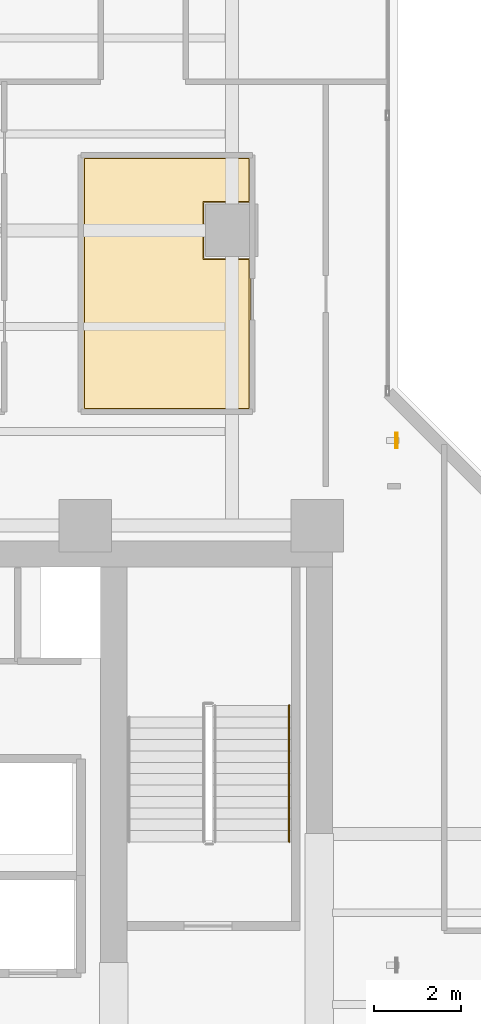
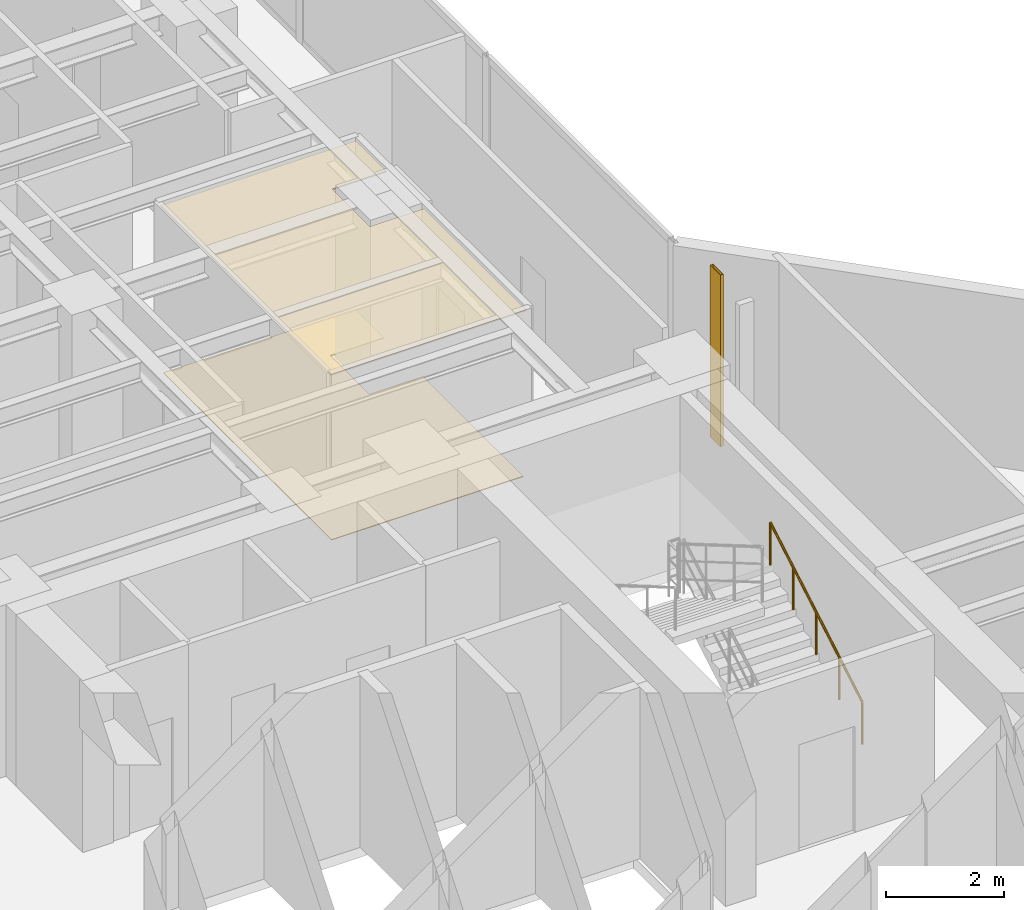
# One storey, part 24 of 26: 2 coverings, 1 railing, 1 shading device.
"""IFC4 building model written with IfcOpenShell, lengths in metres."""

import ifcopenshell
import ifcopenshell.guid

model = None  # the IFC model being written
_history = None  # IfcOwnerHistory: only IFC2X3 demands one
_inside = {}  # id of a spatial element -> (the spatial element, [elements in it])
_under = {}  # id of a project, library or spatial element -> (it, [spatial elements below it])
_declared = {}  # id of a project -> (the project, [libraries it declares])
_typed = {}  # id of a type object -> (the type object, [elements of that type])
_made_of = {}  # id of a material, layer set ... -> (it, [elements and type objects made of it])


def new_model(schema):
    """Start an empty IFC model of exactly this schema.

    Asked for "IFC4X3", IfcOpenShell would pick the latest addendum, in which some entities
    have other attributes; the version numbers below select the first issue.
    IFC2X3 requires an IfcOwnerHistory on every rooted entity: one is made here for all.
    """
    global model, _history
    if schema == "IFC4X3":
        model = ifcopenshell.file(schema_version=(4, 3, 0, 0))
    else:
        model = ifcopenshell.file(schema=schema)
    _inside.clear()
    _under.clear()
    _declared.clear()
    _typed.clear()
    _made_of.clear()
    _history = None
    if model.schema == "IFC2X3":
        org = make("IfcOrganization", Name="unknown")
        user = make(
            "IfcPersonAndOrganization",
            ThePerson=make("IfcPerson", FamilyName="unknown"),
            TheOrganization=org,
        )
        app = make(
            "IfcApplication",
            ApplicationDeveloper=org,
            Version="unknown",
            ApplicationFullName="unknown",
            ApplicationIdentifier="unknown",
        )
        _history = make(
            "IfcOwnerHistory",
            OwningUser=user,
            OwningApplication=app,
            ChangeAction="ADDED",
            CreationDate=0,
        )
    return model


def make(cls, **values):
    """One entity of the class cls with the attributes given. An attribute that is None is left unset."""
    return model.create_entity(
        cls, **{name: value for name, value in values.items() if value is not None}
    )


def rooted(cls, **values):
    """An entity with a GlobalId (a new one), such as an element, a storey or a relation."""
    return make(cls, GlobalId=ifcopenshell.guid.new(), OwnerHistory=_history, **values)


def si_unit(unit_type, name, prefix=None):
    """IfcSIUnit, for example si_unit("LENGTHUNIT", "METRE", prefix="MILLI")."""
    return make("IfcSIUnit", UnitType=unit_type, Prefix=prefix, Name=name)


def assignment(units):
    """IfcUnitAssignment: the units of a project."""
    return None if units is None else make("IfcUnitAssignment", Units=units)


def point(xyz):
    """IfcCartesianPoint."""
    return None if xyz is None else make("IfcCartesianPoint", Coordinates=xyz)


def direction(xyz):
    """IfcDirection."""
    return None if xyz is None else make("IfcDirection", DirectionRatios=xyz)


def frame(location, z_axis=None, x_axis=None):
    """IfcAxis2Placement3D, a coordinate frame: its origin and axes. An axis left out is left unset."""
    return make(
        "IfcAxis2Placement3D",
        Location=point(location),
        Axis=direction(z_axis),
        RefDirection=direction(x_axis),
    )


def frame_2d(location, x_axis=None):
    """IfcAxis2Placement2D, a coordinate frame in the plane: its origin and x axis."""
    return make(
        "IfcAxis2Placement2D", Location=point(location), RefDirection=direction(x_axis)
    )


def origin():
    """The frame at (0, 0, 0) with its axes left unset."""
    return frame((0.0, 0.0, 0.0))


def origin_2d():
    """The frame at (0, 0) in the plane with its x axis left unset."""
    return frame_2d((0.0, 0.0))


def place(relative_to, where):
    """IfcLocalPlacement: puts the frame where relative to a parent placement (None: the world)."""
    return make(
        "IfcLocalPlacement", PlacementRelTo=relative_to, RelativePlacement=where
    )


def context(
    kind, dimensions, precision=None, world=None, true_north=None, identifier=None
):
    """IfcGeometricRepresentationContext, for example the 3D "Model" context."""
    return make(
        "IfcGeometricRepresentationContext",
        ContextIdentifier=identifier,
        ContextType=kind,
        CoordinateSpaceDimension=dimensions,
        Precision=precision,
        WorldCoordinateSystem=world,
        TrueNorth=true_north,
    )


def subcontext(parent, identifier, kind, view, scale=None):
    """IfcGeometricRepresentationSubContext, for example "Body" below "Model"."""
    return make(
        "IfcGeometricRepresentationSubContext",
        ContextIdentifier=identifier,
        ContextType=kind,
        ParentContext=parent,
        TargetScale=scale,
        TargetView=view,
    )


def project(units=None, contexts=None):
    """IfcProject with its units and contexts."""
    return rooted(
        "IfcProject",
        Name="project",
        RepresentationContexts=contexts,
        UnitsInContext=assignment(units),
    )


def spatial(cls, under=None, at=None, **own):
    """A site, building, storey or space (cls), placed at a placement, below another one or the project."""
    s = rooted(cls, ObjectPlacement=at, **own)
    if under is not None:
        _under.setdefault(under.id(), (under, []))[1].append(s)
    return s


def polyline(points):
    """IfcPolyline through the points."""
    return make("IfcPolyline", Points=[point(p) for p in points])


def profile(cls, at=None, kind="AREA", **sizes):
    """A parametric profile (cls). Its sizes go by their IFC names, for example OverallWidth=200.0."""
    return make(cls, ProfileType=kind, Position=at, **sizes)


def hollow_rectangle(**sizes):
    """IfcRectangleHollowProfileDef."""
    return profile("IfcRectangleHollowProfileDef", **sizes)


def circle(**sizes):
    """IfcCircleProfileDef."""
    return profile("IfcCircleProfileDef", **sizes)


def outline(outer, holes=None, kind="AREA"):
    """IfcArbitraryClosedProfileDef: a profile drawn as a closed curve; with holes, ...WithVoids."""
    if holes is None:
        return make("IfcArbitraryClosedProfileDef", ProfileType=kind, OuterCurve=outer)
    return make(
        "IfcArbitraryProfileDefWithVoids",
        ProfileType=kind,
        OuterCurve=outer,
        InnerCurves=holes,
    )


def extrude(swept, where, along, depth):
    """IfcExtrudedAreaSolid: the profile swept, set in the frame where, extruded along a direction by depth."""
    return make(
        "IfcExtrudedAreaSolid",
        SweptArea=swept,
        Position=where,
        ExtrudedDirection=direction(along),
        Depth=depth,
    )


def shape(context_of_items, identifier, shape_type, items):
    """IfcShapeRepresentation: the items that make up one representation, for example the "Body"."""
    return make(
        "IfcShapeRepresentation",
        ContextOfItems=context_of_items,
        RepresentationIdentifier=identifier,
        RepresentationType=shape_type,
        Items=items,
    )


def material(Name=None, Category=None):
    """IfcMaterial."""
    return make("IfcMaterial", Name=Name, Category=Category)


def layer(
    of_material, thickness, ventilated=None, Name=None, Category=None, Priority=None
):
    """IfcMaterialLayer: one layer of a wall or slab, of a material (None: an air gap)."""
    return make(
        "IfcMaterialLayer",
        Material=of_material,
        LayerThickness=thickness,
        IsVentilated=ventilated,
        Name=Name,
        Category=Category,
        Priority=Priority,
    )


def layer_set(layers, Name=None):
    """IfcMaterialLayerSet."""
    return make("IfcMaterialLayerSet", MaterialLayers=layers, LayerSetName=Name)


def material_profile(
    of_material, cross_section, Name=None, Category=None, Priority=None
):
    """IfcMaterialProfile: a cross section and its material."""
    return make(
        "IfcMaterialProfile",
        Name=Name,
        Material=of_material,
        Profile=cross_section,
        Priority=Priority,
        Category=Category,
    )


def profile_set(profiles, Name=None, composite=None):
    """IfcMaterialProfileSet."""
    return make(
        "IfcMaterialProfileSet",
        Name=Name,
        MaterialProfiles=profiles,
        CompositeProfile=composite,
    )


def made_of(thing, what):
    """Note that an element or type object is made of a material, layer set ...; save() writes the relation."""
    if what is not None:
        _made_of.setdefault(what.id(), (what, []))[1].append(thing)
    return thing


def type_object(cls, material=None, **own):
    """A type object (cls), such as IfcWallType, which elements share."""
    return made_of(rooted(cls, **own), material)


def element(
    cls,
    number,
    at=None,
    inside=None,
    cuts=None,
    type_object=None,
    material=None,
    context=None,
    identifier="Body",
    shape_type=None,
    held_by="IfcProductDefinitionShape",
    body=None,
    shapes=None,
    **own,
):
    """One element of the class cls, such as IfcWall. Its Tag is "e" and its number.

    at: its placement. inside: the storey or other place that contains it. cuts: it is an
    opening in that element (IfcRelVoidsElement). A single representation is given by context,
    identifier, shape_type and body (its items); several are given by shapes. held_by: the class
    of the entity that holds the representations. save() writes the other relations.
    """
    e = rooted(cls, Tag="e%d" % number, ObjectPlacement=at, **own)
    if body is not None:
        shapes = [shape(context, identifier, shape_type, body)]
    if shapes is not None:
        e.Representation = make(held_by, Representations=shapes)
    if inside is not None:
        _inside.setdefault(inside.id(), (inside, []))[1].append(e)
    if cuts is not None:
        rooted(
            "IfcRelVoidsElement", RelatingBuildingElement=cuts, RelatedOpeningElement=e
        )
    if type_object is not None:
        _typed.setdefault(type_object.id(), (type_object, []))[1].append(e)
    return made_of(e, material)


def aggregate(whole, parts):
    """IfcRelAggregates: a whole, such as a stair, and the parts it consists of."""
    return rooted("IfcRelAggregates", RelatingObject=whole, RelatedObjects=parts)


def save(model, path):
    """Write the relations noted so far, then the file.

    IfcRelAggregates (storeys below a building ...), IfcRelContainedInSpatialStructure (elements
    in a storey), IfcRelDefinesByType, IfcRelAssociatesMaterial and IfcRelDeclares: one each for
    every whole, place, type object, material and project.
    """
    for whole, parts in _under.values():
        aggregate(whole, parts)
    for where, things in _inside.values():
        rooted(
            "IfcRelContainedInSpatialStructure",
            RelatedElements=things,
            RelatingStructure=where,
        )
    for kind, things in _typed.values():
        rooted("IfcRelDefinesByType", RelatedObjects=things, RelatingType=kind)
    for what, things in _made_of.values():
        rooted("IfcRelAssociatesMaterial", RelatedObjects=things, RelatingMaterial=what)
    for by, libraries in _declared.values():
        rooted("IfcRelDeclares", RelatingContext=by, RelatedDefinitions=libraries)
    model.write(path)


model = new_model("IFC4")

# Units and contexts
model_context = context("Model", 3, precision=1e-05, world=origin(), true_north=direction((0.0, 1.0)))
body_context = subcontext(model_context, "Body", "Model", "MODEL_VIEW")
ifc_project = project(units=[si_unit("LENGTHUNIT", "METRE"), si_unit("AREAUNIT", "SQUARE_METRE"), si_unit("VOLUMEUNIT", "CUBIC_METRE"), si_unit("PLANEANGLEUNIT", "RADIAN"), si_unit("MASSUNIT", "GRAM", prefix="KILO")], contexts=[model_context])

# Site, building, storey
site_placement = place(None, origin())
site = spatial("IfcSite", under=ifc_project, at=site_placement, CompositionType="ELEMENT")
building_placement = place(site_placement, origin())
building = spatial("IfcBuilding", under=site, at=building_placement, Name="Kolvaren Waterfront Exchange", CompositionType="ELEMENT")
storey_placement = place(building_placement, frame((0.0, 0.0, 165.199951171875)))
storey = spatial("IfcBuildingStorey", under=building, at=storey_placement, Name="L42", CompositionType="ELEMENT", Elevation=165.199951171875)

# Covering
ifc_material_1 = material(Name="Mineral fibre acoustic ceiling tile")
ifc_layer_1 = layer(ifc_material_1, 0.02490234375, Name="Mineral fibre acoustic ceiling tile")
ifc_layer_set_1 = layer_set([ifc_layer_1], Name="Mineral fibre acoustic ceiling tile")
covering_type_1 = type_object("IfcCoveringType", Name="ARC-CEIL-ACOUSTIC-25", PredefinedType="CEILING", material=ifc_layer_set_1)
covering_1_placement = place(storey_placement, frame((0.0, 0.0, 3.445068359375)))
element("IfcCovering", 1, at=covering_1_placement, inside=storey, type_object=covering_type_1, Name="L42 acoustic suspended ceiling 1", PredefinedType="CEILING", context=body_context, shape_type="SweptSolid", body=[
    extrude(outline(polyline([(19.22509765625, 30.56005859375), (18.159912109375, 30.56005859375), (18.159912109375, 31.840087890625), (19.22509765625, 31.840087890625), (19.22509765625, 32.875), (15.39501953125, 32.875), (15.39501953125, 27.094970703125), (19.22509765625, 27.094970703125), (19.22509765625, 30.56005859375)])), origin(), (0.0, 0.0, 1.0), 0.02490234375),
])

# Shading device
ifc_material_2 = material(Name="Anodised bronze aluminium 6063-T6", Category="aluminium")
ifc_material_profile = material_profile(ifc_material_2, hollow_rectangle(XDim=0.06005859375, YDim=0.35009765625, WallThickness=0.0048828125, at=origin_2d()), Name="BRZ-FIN-350x60x5")
ifc_profile_set = profile_set([ifc_material_profile], Name="Anodised bronze aluminium 6063-T6")
shading_device_type = type_object("IfcShadingDeviceType", Name="ARC-FIN-350", PredefinedType="USERDEFINED", material=ifc_profile_set)
shading_device_placement = place(storey_placement, frame((22.56005859375, 26.39990234375, 0.0), z_axis=(0.0, 0.0, 1.0), x_axis=(1.0, 0.0, 0.0)))
element("IfcShadingDevice", 2, at=shading_device_placement, inside=storey, type_object=shading_device_type, Name="L42 anodised bronze solar shading fin FIN-L42-E2", ObjectType="SOLAR FIN", PredefinedType="USERDEFINED", context=body_context, shape_type="SweptSolid", body=[
    extrude(hollow_rectangle(XDim=0.06005859375, YDim=0.35009765625, WallThickness=0.0048828125, at=origin_2d()), origin(), (0.0, 0.0, 1.0), 3.56005859375),
])

# Covering
ifc_material_3 = material(Name="Slip-resistant porcelain tile")
ifc_layer_2 = layer(ifc_material_3, 0.014892578125, Name="Slip-resistant porcelain tile")
ifc_layer_set_2 = layer_set([ifc_layer_2], Name="Slip-resistant porcelain tile")
covering_type_2 = type_object("IfcCoveringType", Name="ARC-FLR-PORC-15", PredefinedType="FLOORING", material=ifc_layer_set_2)
covering_2_placement = place(storey_placement, origin())
element("IfcCovering", 3, at=covering_2_placement, inside=storey, type_object=covering_type_2, Name="L42 floor finish 1", PredefinedType="FLOORING", context=body_context, shape_type="SweptSolid", body=[
    extrude(outline(polyline([(15.429931640625, 32.840087890625), (15.429931640625, 27.1298828125), (19.18994140625, 27.1298828125), (19.18994140625, 30.5400390625), (18.139892578125, 30.5400390625), (18.139892578125, 31.860107421875), (19.18994140625, 31.860107421875), (19.18994140625, 32.840087890625), (15.429931640625, 32.840087890625)])), origin(), (0.0, 0.0, 1.0), 0.01513671875),
])

# Railing
ifc_material_4 = material(Name="Stainless steel 316", Category="steel")
railing_type = type_object("IfcRailingType", Name="ARC-HANDRAIL-900", PredefinedType="HANDRAIL", material=ifc_material_4)
railing_placement = place(storey_placement, frame((20.110107421875, 17.219970703125, 0.152099609375)))
element("IfcRailing", 4, at=railing_placement, inside=storey, type_object=railing_type, Name="L42 ST2 stair handrail 1", PredefinedType="HANDRAIL", context=body_context, shape_type="SweptSolid", body=[
    extrude(circle(Radius=0.02392578125, at=origin_2d()), frame((0.0, 0.0, 0.8759765625), z_axis=(0.0, 0.86330811405, 0.504677223793), x_axis=(-1.0, 0.0, 0.0)), (0.0, 0.0, 1.0), 3.6142578125),
    extrude(circle(Radius=0.02099609375, at=origin_2d()), origin(), (0.0, 0.0, 1.0), 0.851806640625),
    extrude(circle(Radius=0.02099609375, at=origin_2d()), frame((0.0, 0.780029296875, 0.4560546875)), (0.0, 0.0, 1.0), 0.851806640625),
    extrude(circle(Radius=0.02099609375, at=origin_2d()), frame((0.0, 1.56005859375, 0.912109375)), (0.0, 0.0, 1.0), 0.851806640625),
    extrude(circle(Radius=0.02099609375, at=origin_2d()), frame((0.0, 2.340087890625, 1.367919921875)), (0.0, 0.0, 1.0), 0.851806640625),
    extrude(circle(Radius=0.02099609375, at=origin_2d()), frame((0.0, 3.1201171875, 1.823974609375)), (0.0, 0.0, 1.0), 0.851806640625),
])

save(model, "model.ifc")
